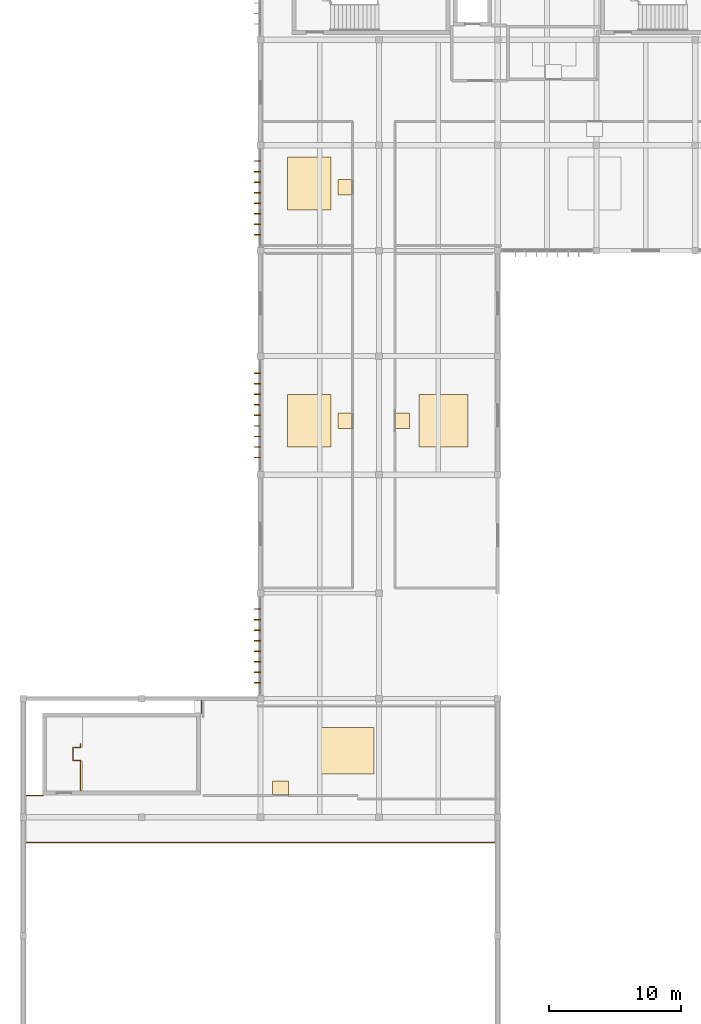
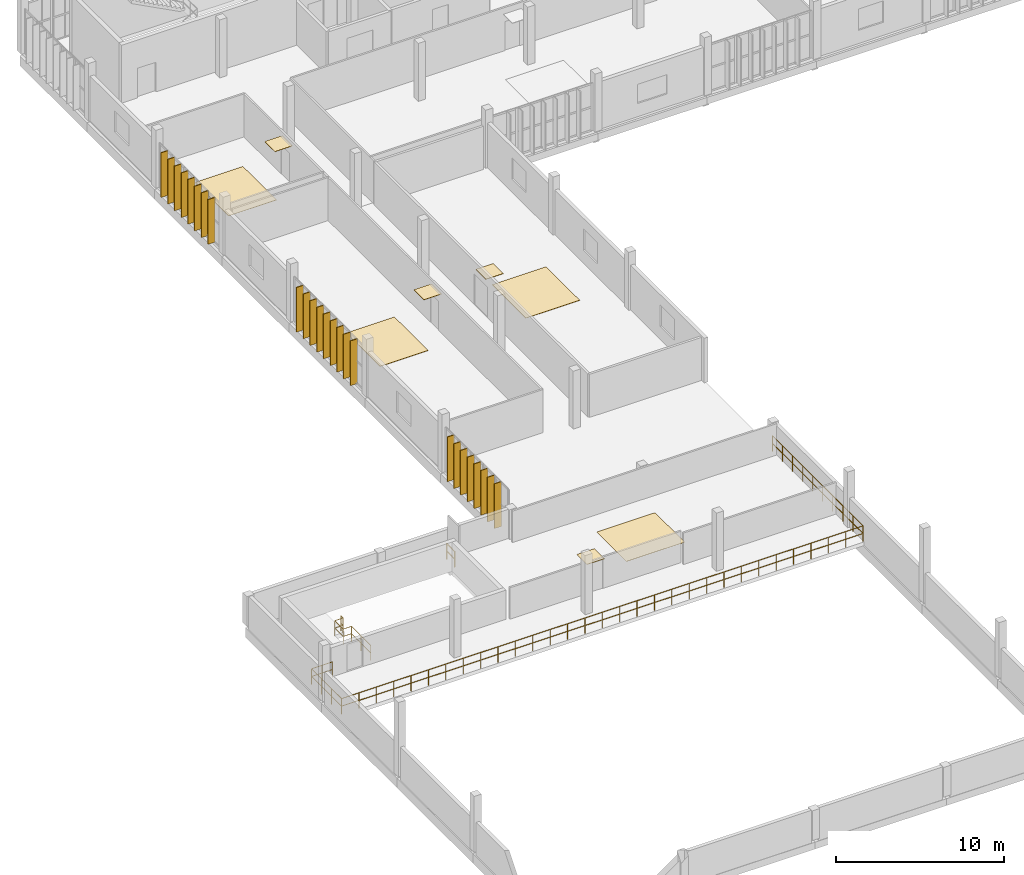
# One storey, part 24 of 27: 25 shading devices, 8 coverings, 3 railings.
"""IFC4 building model written with IfcOpenShell, lengths in metres."""

from ifc_helpers import new_model, si_unit, direction, frame, origin, origin_2d, place, context, subcontext, project, spatial, rectangle, circle, extrude, material, layer, layer_set, material_profile, profile_set, type_object, element, save


model = new_model("IFC4")

# Units and contexts
model_context = context("Model", 3, precision=1e-05, world=origin(), true_north=direction((0.0, 1.0)))
body_context = subcontext(model_context, "Body", "Model", "MODEL_VIEW")
ifc_project = project(units=[si_unit("LENGTHUNIT", "METRE"), si_unit("AREAUNIT", "SQUARE_METRE"), si_unit("VOLUMEUNIT", "CUBIC_METRE"), si_unit("PLANEANGLEUNIT", "RADIAN"), si_unit("MASSUNIT", "GRAM", prefix="KILO")], contexts=[model_context])

# Site, building, storey
site_placement = place(None, origin())
site = spatial("IfcSite", under=ifc_project, at=site_placement, CompositionType="ELEMENT")
building_placement = place(site_placement, origin())
building = spatial("IfcBuilding", under=site, at=building_placement, Name="Vourika Railside Aquatics Centre", CompositionType="ELEMENT")
storey_placement = place(building_placement, frame((0.0, 0.0, 13.5)))
storey = spatial("IfcBuildingStorey", under=building, at=storey_placement, Name="L03", CompositionType="ELEMENT", Elevation=13.5)

# Coverings
ifc_material_1 = material(Name="Perforated moisture-resistant acoustic gypsum ceiling")
ifc_layer_1 = layer(ifc_material_1, 0.02490234375, Name="COV-CEIL-25")
ifc_layer_set_1 = layer_set([ifc_layer_1], Name="Perforated moisture-resistant acoustic gypsum ceiling")
covering_type_1 = type_object("IfcCoveringType", Name="COV-CEIL-25", PredefinedType="CEILING", material=ifc_layer_set_1)
for number, where, z_axis, x_axis, name in (
    (1, (19.52490234375, 51.169921875, 2.112548828125), (0.0, 0.0, 1.0), (1.0, 0.0, 0.0), "High-Diving Control and Video Replay Gallery Acoustic Ceiling Panel"),
    (2, (24.47998046875, 79.10009765625, 2.637451171875), (0.0, 0.0, 1.0), (1.0, 0.0, 0.0), "High-Diving Biomechanics Observation Lounge Acoustic Ceiling Panel"),
    (3, (28.719970703125, 79.10009765625, 2.637451171875), (0.0, 0.0, 1.0), (1.0, 0.0, 0.0), "Championship Video Analysis Studio Acoustic Ceiling Panel"),
    (4, (24.47998046875, 96.820068359375, 2.637451171875), (0.0, 0.0, 1.0), (1.0, 0.0, 0.0), "Aromatherapy and Cold-Plunge Recovery Suite Acoustic Ceiling Panel"),
):
    element("IfcCovering", number, at=place(storey_placement, frame(where, z_axis=z_axis, x_axis=x_axis)), inside=storey, type_object=covering_type_1, Name=name, PredefinedType="CEILING", context=body_context, shape_type="SweptSolid", body=[
        extrude(rectangle(XDim=1.199951171875, YDim=1.199951171875, at=origin_2d()), origin(), (0.0, 0.0, 1.0), 0.02490234375),
    ])
ifc_material_2 = material(Name="Slip-resistant aqua ceramic sports flooring")
ifc_layer_2 = layer(ifc_material_2, 0.02001953125, Name="COV-FLOR-20")
ifc_layer_set_2 = layer_set([ifc_layer_2], Name="Slip-resistant aqua ceramic sports flooring")
covering_type_2 = type_object("IfcCoveringType", Name="COV-FLOR-20", PredefinedType="FLOORING", material=ifc_layer_set_2)
covering_1_placement = place(storey_placement, frame((24.625, 54.050048828125, 0.0), z_axis=(0.0, 0.0, 1.0), x_axis=(1.0, 0.0, 0.0)))
element("IfcCovering", 5, at=covering_1_placement, inside=storey, type_object=covering_type_2, Name="High-Diving Control and Video Replay Gallery Sports Flooring Panel", PredefinedType="FLOORING", context=body_context, shape_type="SweptSolid", body=[
    extrude(rectangle(XDim=4.0, YDim=3.52490234375, at=origin_2d()), origin(), (0.0, 0.0, 1.0), 0.02001953125),
])
covering_2_placement = place(storey_placement, frame((21.699951171875, 79.10009765625, 0.0), z_axis=(0.0, 0.0, 1.0), x_axis=(1.0, 0.0, 0.0)))
element("IfcCovering", 6, at=covering_2_placement, inside=storey, type_object=covering_type_2, Name="High-Diving Biomechanics Observation Lounge Sports Flooring Panel", PredefinedType="FLOORING", context=body_context, shape_type="SweptSolid", body=[
    extrude(rectangle(XDim=3.300048828125, YDim=4.0, at=origin_2d()), origin(), (0.0, 0.0, 1.0), 0.02001953125),
])
covering_3_placement = place(storey_placement, frame((31.89990234375, 79.10009765625, 0.0), z_axis=(0.0, 0.0, 1.0), x_axis=(1.0, 0.0, 0.0)))
element("IfcCovering", 7, at=covering_3_placement, inside=storey, type_object=covering_type_2, Name="Championship Video Analysis Studio Sports Flooring Panel", PredefinedType="FLOORING", context=body_context, shape_type="SweptSolid", body=[
    extrude(rectangle(XDim=3.699951171875, YDim=4.0, at=origin_2d()), origin(), (0.0, 0.0, 1.0), 0.02001953125),
])
covering_4_placement = place(storey_placement, frame((21.699951171875, 97.10009765625, 0.0), z_axis=(0.0, 0.0, 1.0), x_axis=(1.0, 0.0, 0.0)))
element("IfcCovering", 8, at=covering_4_placement, inside=storey, type_object=covering_type_2, Name="Aromatherapy and Cold-Plunge Recovery Suite Sports Flooring Panel", PredefinedType="FLOORING", context=body_context, shape_type="SweptSolid", body=[
    extrude(rectangle(XDim=3.300048828125, YDim=4.0, at=origin_2d()), origin(), (0.0, 0.0, 1.0), 0.02001953125),
])

# Railings
ifc_material_3 = material(Name="Duplex stainless steel EN 1.4462", Category="steel")
railing_type_1 = type_object("IfcRailingType", Name="RL-BAL-GLS115", PredefinedType="BALUSTRADE", material=ifc_material_3)
railing_1_placement = place(storey_placement, frame((1.5, 50.639892578125, 0.0)))
element("IfcRailing", 9, at=railing_1_placement, inside=storey, type_object=railing_type_1, Name="High-Diving Control Gallery Balustrade", PredefinedType="BALUSTRADE", context=body_context, shape_type="SweptSolid", body=[
    extrude(circle(Radius=0.02392578125, at=origin_2d()), frame((0.0, 0.0, 1.1259765625), z_axis=(-1.0, 0.0, 0.0), x_axis=(0.0, -1.0, 0.0)), (0.0, 0.0, 1.0), 1.419921875),
    extrude(circle(Radius=0.02392578125, at=origin_2d()), frame((0.0, 0.0, 0.574951171875), z_axis=(-1.0, 0.0, 0.0), x_axis=(0.0, -1.0, 0.0)), (0.0, 0.0, 1.0), 1.419921875),
    extrude(circle(Radius=0.02392578125, at=origin_2d()), frame((-1.419921875, 0.0, 1.1259765625), z_axis=(0.0, -1.0, 0.0), x_axis=(1.0, 0.0, 0.0)), (0.0, 0.0, 1.0), 3.559814453125),
    extrude(circle(Radius=0.02392578125, at=origin_2d()), frame((-1.419921875, 0.0, 0.574951171875), z_axis=(0.0, -1.0, 0.0), x_axis=(1.0, 0.0, 0.0)), (0.0, 0.0, 1.0), 3.559814453125),
    extrude(circle(Radius=0.02392578125, at=origin_2d()), frame((-1.419921875, -3.559814453125, 1.1259765625), z_axis=(1.0, 0.0, 0.0), x_axis=(0.0, 1.0, 0.0)), (0.0, 0.0, 1.0), 35.77001953125),
    extrude(circle(Radius=0.02392578125, at=origin_2d()), frame((-1.419921875, -3.559814453125, 0.574951171875), z_axis=(1.0, 0.0, 0.0), x_axis=(0.0, 1.0, 0.0)), (0.0, 0.0, 1.0), 35.77001953125),
    extrude(circle(Radius=0.02392578125, at=origin_2d()), frame((34.35009765625, -3.559814453125, 1.1259765625), z_axis=(0.0, 1.0, 0.0), x_axis=(-1.0, 0.0, 0.0)), (0.0, 0.0, 1.0), 10.77001953125),
    extrude(circle(Radius=0.02392578125, at=origin_2d()), frame((34.35009765625, -3.559814453125, 0.574951171875), z_axis=(0.0, 1.0, 0.0), x_axis=(-1.0, 0.0, 0.0)), (0.0, 0.0, 1.0), 10.77001953125),
    extrude(circle(Radius=0.02099609375, at=origin_2d()), origin(), (0.0, 0.0, 1.0), 1.101806640625),
    extrude(circle(Radius=0.02099609375, at=origin_2d()), frame((-0.7099609375, 0.0, 0.0)), (0.0, 0.0, 1.0), 1.101806640625),
    extrude(circle(Radius=0.02099609375, at=origin_2d()), frame((-1.419921875, 0.0, 0.0)), (0.0, 0.0, 1.0), 1.101806640625),
    extrude(circle(Radius=0.02099609375, at=origin_2d()), frame((-1.419921875, -1.1865234375, 0.0)), (0.0, 0.0, 1.0), 1.101806640625),
    extrude(circle(Radius=0.02099609375, at=origin_2d()), frame((-1.419921875, -2.373291015625, 0.0)), (0.0, 0.0, 1.0), 1.101806640625),
    extrude(circle(Radius=0.02099609375, at=origin_2d()), frame((-1.419921875, -3.559814453125, 0.0)), (0.0, 0.0, 1.0), 1.101806640625),
    extrude(circle(Radius=0.02099609375, at=origin_2d()), frame((-0.2275390625, -3.559814453125, 0.0)), (0.0, 0.0, 1.0), 1.101806640625),
    extrude(circle(Radius=0.02099609375, at=origin_2d()), frame((0.96484375, -3.559814453125, 0.0)), (0.0, 0.0, 1.0), 1.101806640625),
    extrude(circle(Radius=0.02099609375, at=origin_2d()), frame((2.156982421875, -3.559814453125, 0.0)), (0.0, 0.0, 1.0), 1.101806640625),
    extrude(circle(Radius=0.02099609375, at=origin_2d()), frame((3.349365234375, -3.559814453125, 0.0)), (0.0, 0.0, 1.0), 1.101806640625),
    extrude(circle(Radius=0.02099609375, at=origin_2d()), frame((4.541748046875, -3.559814453125, 0.0)), (0.0, 0.0, 1.0), 1.101806640625),
    extrude(circle(Radius=0.02099609375, at=origin_2d()), frame((5.734130859375, -3.559814453125, 0.0)), (0.0, 0.0, 1.0), 1.101806640625),
    extrude(circle(Radius=0.02099609375, at=origin_2d()), frame((6.926513671875, -3.559814453125, 0.0)), (0.0, 0.0, 1.0), 1.101806640625),
    extrude(circle(Radius=0.02099609375, at=origin_2d()), frame((8.11865234375, -3.559814453125, 0.0)), (0.0, 0.0, 1.0), 1.101806640625),
    extrude(circle(Radius=0.02099609375, at=origin_2d()), frame((9.31103515625, -3.559814453125, 0.0)), (0.0, 0.0, 1.0), 1.101806640625),
    extrude(circle(Radius=0.02099609375, at=origin_2d()), frame((10.50341796875, -3.559814453125, 0.0)), (0.0, 0.0, 1.0), 1.101806640625),
    extrude(circle(Radius=0.02099609375, at=origin_2d()), frame((11.69580078125, -3.559814453125, 0.0)), (0.0, 0.0, 1.0), 1.101806640625),
    extrude(circle(Radius=0.02099609375, at=origin_2d()), frame((12.88818359375, -3.559814453125, 0.0)), (0.0, 0.0, 1.0), 1.101806640625),
    extrude(circle(Radius=0.02099609375, at=origin_2d()), frame((14.080322265625, -3.559814453125, 0.0)), (0.0, 0.0, 1.0), 1.101806640625),
    extrude(circle(Radius=0.02099609375, at=origin_2d()), frame((15.272705078125, -3.559814453125, 0.0)), (0.0, 0.0, 1.0), 1.101806640625),
    extrude(circle(Radius=0.02099609375, at=origin_2d()), frame((16.465087890625, -3.559814453125, 0.0)), (0.0, 0.0, 1.0), 1.101806640625),
    extrude(circle(Radius=0.02099609375, at=origin_2d()), frame((17.657470703125, -3.559814453125, 0.0)), (0.0, 0.0, 1.0), 1.101806640625),
    extrude(circle(Radius=0.02099609375, at=origin_2d()), frame((18.849853515625, -3.559814453125, 0.0)), (0.0, 0.0, 1.0), 1.101806640625),
    extrude(circle(Radius=0.02099609375, at=origin_2d()), frame((20.0419921875, -3.559814453125, 0.0)), (0.0, 0.0, 1.0), 1.101806640625),
    extrude(circle(Radius=0.02099609375, at=origin_2d()), frame((21.234375, -3.559814453125, 0.0)), (0.0, 0.0, 1.0), 1.101806640625),
    extrude(circle(Radius=0.02099609375, at=origin_2d()), frame((22.4267578125, -3.559814453125, 0.0)), (0.0, 0.0, 1.0), 1.101806640625),
    extrude(circle(Radius=0.02099609375, at=origin_2d()), frame((23.619140625, -3.559814453125, 0.0)), (0.0, 0.0, 1.0), 1.101806640625),
    extrude(circle(Radius=0.02099609375, at=origin_2d()), frame((24.8115234375, -3.559814453125, 0.0)), (0.0, 0.0, 1.0), 1.101806640625),
    extrude(circle(Radius=0.02099609375, at=origin_2d()), frame((26.003662109375, -3.559814453125, 0.0)), (0.0, 0.0, 1.0), 1.101806640625),
    extrude(circle(Radius=0.02099609375, at=origin_2d()), frame((27.196044921875, -3.559814453125, 0.0)), (0.0, 0.0, 1.0), 1.101806640625),
    extrude(circle(Radius=0.02099609375, at=origin_2d()), frame((28.388427734375, -3.559814453125, 0.0)), (0.0, 0.0, 1.0), 1.101806640625),
    extrude(circle(Radius=0.02099609375, at=origin_2d()), frame((29.580810546875, -3.559814453125, 0.0)), (0.0, 0.0, 1.0), 1.101806640625),
    extrude(circle(Radius=0.02099609375, at=origin_2d()), frame((30.773193359375, -3.559814453125, 0.0)), (0.0, 0.0, 1.0), 1.101806640625),
    extrude(circle(Radius=0.02099609375, at=origin_2d()), frame((31.96533203125, -3.559814453125, 0.0)), (0.0, 0.0, 1.0), 1.101806640625),
    extrude(circle(Radius=0.02099609375, at=origin_2d()), frame((33.15771484375, -3.559814453125, 0.0)), (0.0, 0.0, 1.0), 1.101806640625),
    extrude(circle(Radius=0.02099609375, at=origin_2d()), frame((34.35009765625, -3.559814453125, 0.0)), (0.0, 0.0, 1.0), 1.101806640625),
    extrude(circle(Radius=0.02099609375, at=origin_2d()), frame((34.35009765625, -2.363037109375, 0.0)), (0.0, 0.0, 1.0), 1.101806640625),
    extrude(circle(Radius=0.02099609375, at=origin_2d()), frame((34.35009765625, -1.16650390625, 0.0)), (0.0, 0.0, 1.0), 1.101806640625),
    extrude(circle(Radius=0.02099609375, at=origin_2d()), frame((34.35009765625, 0.0302734375, 0.0)), (0.0, 0.0, 1.0), 1.101806640625),
    extrude(circle(Radius=0.02099609375, at=origin_2d()), frame((34.35009765625, 1.226806640625, 0.0)), (0.0, 0.0, 1.0), 1.101806640625),
    extrude(circle(Radius=0.02099609375, at=origin_2d()), frame((34.35009765625, 2.423583984375, 0.0)), (0.0, 0.0, 1.0), 1.101806640625),
    extrude(circle(Radius=0.02099609375, at=origin_2d()), frame((34.35009765625, 3.6201171875, 0.0)), (0.0, 0.0, 1.0), 1.101806640625),
    extrude(circle(Radius=0.02099609375, at=origin_2d()), frame((34.35009765625, 4.81689453125, 0.0)), (0.0, 0.0, 1.0), 1.101806640625),
    extrude(circle(Radius=0.02099609375, at=origin_2d()), frame((34.35009765625, 6.013427734375, 0.0)), (0.0, 0.0, 1.0), 1.101806640625),
    extrude(circle(Radius=0.02099609375, at=origin_2d()), frame((34.35009765625, 7.210205078125, 0.0)), (0.0, 0.0, 1.0), 1.101806640625),
])
railing_2_placement = place(storey_placement, frame((13.52001953125, 56.919921875, 0.0)))
element("IfcRailing", 10, at=railing_2_placement, inside=storey, type_object=railing_type_1, Name="Diving Control Gallery North-West Edge Guard", PredefinedType="BALUSTRADE", context=body_context, shape_type="SweptSolid", body=[
    extrude(circle(Radius=0.02392578125, at=origin_2d()), frame((0.0, 0.0, 1.1259765625), z_axis=(0.0, 1.0, 0.0), x_axis=(-1.0, 0.0, 0.0)), (0.0, 0.0, 1.0), 0.93017578125),
    extrude(circle(Radius=0.02392578125, at=origin_2d()), frame((0.0, 0.0, 0.574951171875), z_axis=(0.0, 1.0, 0.0), x_axis=(-1.0, 0.0, 0.0)), (0.0, 0.0, 1.0), 0.93017578125),
    extrude(circle(Radius=0.02099609375, at=origin_2d()), origin(), (0.0, 0.0, 1.0), 1.101806640625),
    extrude(circle(Radius=0.02099609375, at=origin_2d()), frame((0.0, 0.93017578125, 0.0)), (0.0, 0.0, 1.0), 1.101806640625),
])
railing_type_2 = type_object("IfcRailingType", Name="RL-STAIR-1120", PredefinedType="BALUSTRADE", material=ifc_material_3)
railing_3_placement = place(storey_placement, frame((4.35009765625, 51.02001953125, 0.0)))
element("IfcRailing", 11, at=railing_3_placement, inside=storey, type_object=railing_type_2, Name="Protected Exit Stair Core ST04 Well Edge Guard (L03)", PredefinedType="BALUSTRADE", context=body_context, shape_type="SweptSolid", body=[
    extrude(circle(Radius=0.02392578125, at=origin_2d()), frame((0.0, 0.0, 1.09619140625), z_axis=(0.0, 1.0, 0.0), x_axis=(-1.0, 0.0, 0.0)), (0.0, 0.0, 1.0), 2.280029296875),
    extrude(circle(Radius=0.02392578125, at=origin_2d()), frame((0.0, 0.0, 0.56005859375), z_axis=(0.0, 1.0, 0.0), x_axis=(-1.0, 0.0, 0.0)), (0.0, 0.0, 1.0), 2.280029296875),
    extrude(circle(Radius=0.02392578125, at=origin_2d()), frame((0.0, 2.280029296875, 1.09619140625), z_axis=(-1.0, 0.0, 0.0), x_axis=(0.0, -1.0, 0.0)), (0.0, 0.0, 1.0), 0.570068359375),
    extrude(circle(Radius=0.02392578125, at=origin_2d()), frame((0.0, 2.280029296875, 0.56005859375), z_axis=(-1.0, 0.0, 0.0), x_axis=(0.0, -1.0, 0.0)), (0.0, 0.0, 1.0), 0.570068359375),
    extrude(circle(Radius=0.02392578125, at=origin_2d()), frame((-0.570068359375, 2.280029296875, 1.09619140625), z_axis=(0.0, 1.0, 0.0), x_axis=(-1.0, 0.0, 0.0)), (0.0, 0.0, 1.0), 1.0),
    extrude(circle(Radius=0.02392578125, at=origin_2d()), frame((-0.570068359375, 2.280029296875, 0.56005859375), z_axis=(0.0, 1.0, 0.0), x_axis=(-1.0, 0.0, 0.0)), (0.0, 0.0, 1.0), 1.0),
    extrude(circle(Radius=0.02392578125, at=origin_2d()), frame((-0.570068359375, 3.280029296875, 1.09619140625), z_axis=(1.0, 0.0, 0.0), x_axis=(0.0, 1.0, 0.0)), (0.0, 0.0, 1.0), 0.570068359375),
    extrude(circle(Radius=0.02392578125, at=origin_2d()), frame((-0.570068359375, 3.280029296875, 0.56005859375), z_axis=(1.0, 0.0, 0.0), x_axis=(0.0, 1.0, 0.0)), (0.0, 0.0, 1.0), 0.570068359375),
    extrude(circle(Radius=0.02392578125, at=origin_2d()), frame((0.0, 3.280029296875, 1.09619140625), z_axis=(0.0, 1.0, 0.0), x_axis=(-1.0, 0.0, 0.0)), (0.0, 0.0, 1.0), 0.25),
    extrude(circle(Radius=0.02392578125, at=origin_2d()), frame((0.0, 3.280029296875, 0.56005859375), z_axis=(0.0, 1.0, 0.0), x_axis=(-1.0, 0.0, 0.0)), (0.0, 0.0, 1.0), 0.25),
    extrude(circle(Radius=0.02099609375, at=origin_2d()), origin(), (0.0, 0.0, 1.0), 1.072021484375),
    extrude(circle(Radius=0.02099609375, at=origin_2d()), frame((0.0, 1.14013671875, 0.0)), (0.0, 0.0, 1.0), 1.072021484375),
    extrude(circle(Radius=0.02099609375, at=origin_2d()), frame((0.0, 2.280029296875, 0.0)), (0.0, 0.0, 1.0), 1.072021484375),
    extrude(circle(Radius=0.02099609375, at=origin_2d()), frame((-0.570068359375, 2.280029296875, 0.0)), (0.0, 0.0, 1.0), 1.072021484375),
    extrude(circle(Radius=0.02099609375, at=origin_2d()), frame((-0.570068359375, 3.280029296875, 0.0)), (0.0, 0.0, 1.0), 1.072021484375),
    extrude(circle(Radius=0.02099609375, at=origin_2d()), frame((0.0, 3.280029296875, 0.0)), (0.0, 0.0, 1.0), 1.072021484375),
    extrude(circle(Radius=0.02099609375, at=origin_2d()), frame((0.0, 3.530029296875, 0.0)), (0.0, 0.0, 1.0), 1.072021484375),
])

# Shading devices
ifc_material_4 = material(Name="Bronze-anodized extruded aluminium", Category="aluminium")
ifc_material_profile = material_profile(ifc_material_4, rectangle(XDim=0.06005859375, YDim=0.47998046875, at=origin_2d()), Name="ALU-FIN 60x480")
ifc_profile_set = profile_set([ifc_material_profile], Name="Bronze-anodized extruded aluminium")
shading_device_type = type_object("IfcShadingDeviceType", Name="SHD-FIN-F48A", PredefinedType="USERDEFINED", material=ifc_profile_set)
for number, where, z_axis, x_axis, name in (
    (12, (17.784912109375, 59.199951171875, 0.0), (0.0, 0.0, 1.0), (0.0, 1.0, 0.0), "Vertical Solar Fin VSF-1083"),
    (13, (17.784912109375, 60.0, 0.0), (0.0, 0.0, 1.0), (0.0, 1.0, 0.0), "Vertical Solar Fin VSF-1084"),
    (14, (17.784912109375, 60.800048828125, 0.0), (0.0, 0.0, 1.0), (0.0, 1.0, 0.0), "Vertical Solar Fin VSF-1085"),
    (15, (17.784912109375, 61.60009765625, 0.0), (0.0, 0.0, 1.0), (0.0, 1.0, 0.0), "Vertical Solar Fin VSF-1086"),
    (16, (17.784912109375, 62.39990234375, 0.0), (0.0, 0.0, 1.0), (0.0, 1.0, 0.0), "Vertical Solar Fin VSF-1087"),
    (17, (17.784912109375, 63.199951171875, 0.0), (0.0, 0.0, 1.0), (0.0, 1.0, 0.0), "Vertical Solar Fin VSF-1088"),
    (18, (17.784912109375, 64.0, 0.0), (0.0, 0.0, 1.0), (0.0, 1.0, 0.0), "Vertical Solar Fin VSF-1089"),
    (19, (17.784912109375, 64.800048828125, 0.0), (0.0, 0.0, 1.0), (0.0, 1.0, 0.0), "Vertical Solar Fin VSF-1090"),
    (20, (17.784912109375, 76.300048828125, 0.0), (0.0, 0.0, 1.0), (0.0, 1.0, 0.0), "Vertical Solar Fin VSF-1091"),
    (21, (17.784912109375, 77.10009765625, 0.0), (0.0, 0.0, 1.0), (0.0, 1.0, 0.0), "Vertical Solar Fin VSF-1092"),
    (22, (17.784912109375, 77.89990234375, 0.0), (0.0, 0.0, 1.0), (0.0, 1.0, 0.0), "Vertical Solar Fin VSF-1093"),
    (23, (17.784912109375, 78.699951171875, 0.0), (0.0, 0.0, 1.0), (0.0, 1.0, 0.0), "Vertical Solar Fin VSF-1094"),
    (24, (17.784912109375, 79.5, 0.0), (0.0, 0.0, 1.0), (0.0, 1.0, 0.0), "Vertical Solar Fin VSF-1095"),
    (25, (17.784912109375, 80.300048828125, 0.0), (0.0, 0.0, 1.0), (0.0, 1.0, 0.0), "Vertical Solar Fin VSF-1096"),
    (26, (17.784912109375, 81.10009765625, 0.0), (0.0, 0.0, 1.0), (0.0, 1.0, 0.0), "Vertical Solar Fin VSF-1097"),
    (27, (17.784912109375, 81.89990234375, 0.0), (0.0, 0.0, 1.0), (0.0, 1.0, 0.0), "Vertical Solar Fin VSF-1098"),
    (28, (17.784912109375, 82.699951171875, 0.0), (0.0, 0.0, 1.0), (0.0, 1.0, 0.0), "Vertical Solar Fin VSF-1099"),
    (29, (17.784912109375, 93.199951171875, 0.0), (0.0, 0.0, 1.0), (0.0, 1.0, 0.0), "Vertical Solar Fin VSF-1100"),
    (30, (17.784912109375, 94.0, 0.0), (0.0, 0.0, 1.0), (0.0, 1.0, 0.0), "Vertical Solar Fin VSF-1101"),
    (31, (17.784912109375, 94.800048828125, 0.0), (0.0, 0.0, 1.0), (0.0, 1.0, 0.0), "Vertical Solar Fin VSF-1102"),
    (32, (17.784912109375, 95.60009765625, 0.0), (0.0, 0.0, 1.0), (0.0, 1.0, 0.0), "Vertical Solar Fin VSF-1103"),
    (33, (17.784912109375, 96.39990234375, 0.0), (0.0, 0.0, 1.0), (0.0, 1.0, 0.0), "Vertical Solar Fin VSF-1104"),
    (34, (17.784912109375, 97.199951171875, 0.0), (0.0, 0.0, 1.0), (0.0, 1.0, 0.0), "Vertical Solar Fin VSF-1105"),
    (35, (17.784912109375, 98.0, 0.0), (0.0, 0.0, 1.0), (0.0, 1.0, 0.0), "Vertical Solar Fin VSF-1106"),
    (36, (17.784912109375, 98.800048828125, 0.0), (0.0, 0.0, 1.0), (0.0, 1.0, 0.0), "Vertical Solar Fin VSF-1107"),
):
    element("IfcShadingDevice", number, at=place(storey_placement, frame(where, z_axis=z_axis, x_axis=x_axis)), inside=storey, type_object=shading_device_type, Name=name, ObjectType="FIN", PredefinedType="USERDEFINED", context=body_context, shape_type="SweptSolid", body=[
        extrude(rectangle(XDim=0.06005859375, YDim=0.47998046875, at=origin_2d()), origin(), (0.0, 0.0, 1.0), 3.239990234375),
    ])

save(model, "model.ifc")
